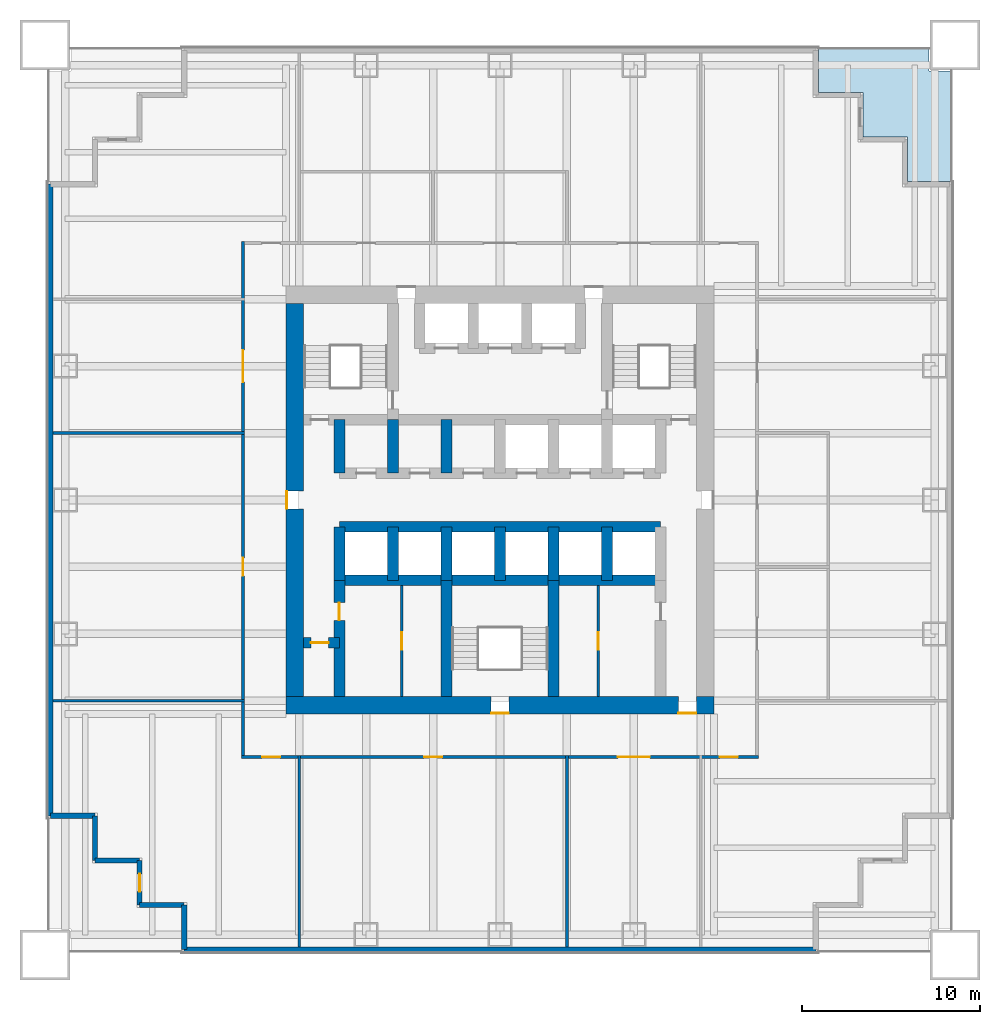
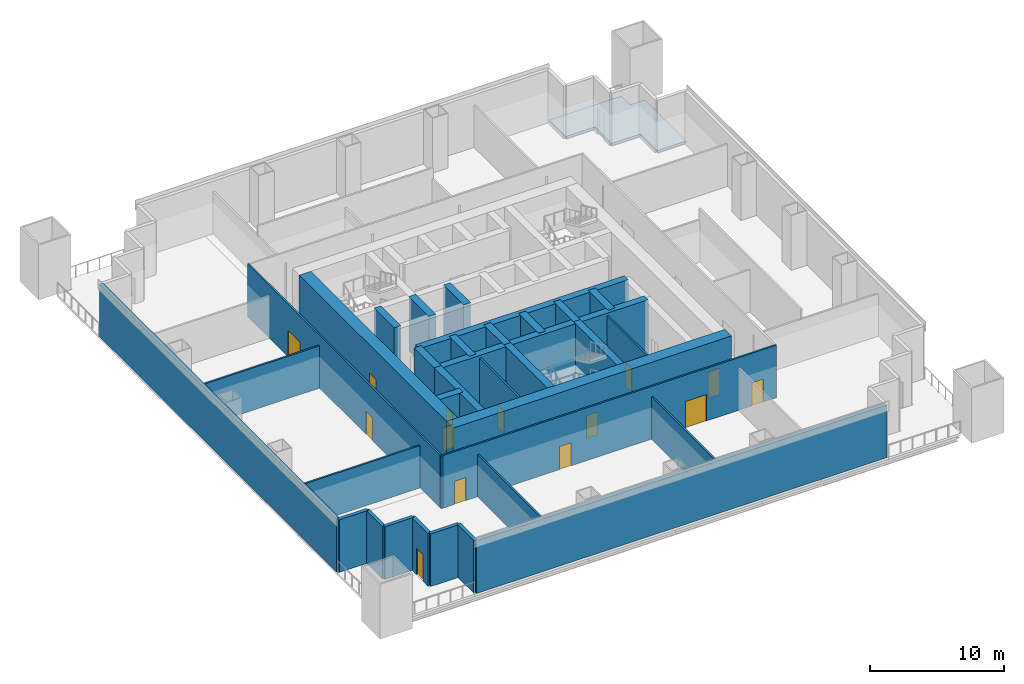
# One storey, part 2 of 6: 33 walls, 14 doors, 1 slab, 14 openings.
"""IFC4 building model written with IfcOpenShell, lengths in metres."""

import ifcopenshell
import ifcopenshell.guid

model = None  # the IFC model being written
_history = None  # IfcOwnerHistory: only IFC2X3 demands one
_inside = {}  # id of a spatial element -> (the spatial element, [elements in it])
_under = {}  # id of a project, library or spatial element -> (it, [spatial elements below it])
_declared = {}  # id of a project -> (the project, [libraries it declares])
_typed = {}  # id of a type object -> (the type object, [elements of that type])
_made_of = {}  # id of a material, layer set ... -> (it, [elements and type objects made of it])


def new_model(schema):
    """Start an empty IFC model of exactly this schema.

    Asked for "IFC4X3", IfcOpenShell would pick the latest addendum, in which some entities
    have other attributes; the version numbers below select the first issue.
    IFC2X3 requires an IfcOwnerHistory on every rooted entity: one is made here for all.
    """
    global model, _history
    if schema == "IFC4X3":
        model = ifcopenshell.file(schema_version=(4, 3, 0, 0))
    else:
        model = ifcopenshell.file(schema=schema)
    _inside.clear()
    _under.clear()
    _declared.clear()
    _typed.clear()
    _made_of.clear()
    _history = None
    if model.schema == "IFC2X3":
        org = make("IfcOrganization", Name="unknown")
        user = make(
            "IfcPersonAndOrganization",
            ThePerson=make("IfcPerson", FamilyName="unknown"),
            TheOrganization=org,
        )
        app = make(
            "IfcApplication",
            ApplicationDeveloper=org,
            Version="unknown",
            ApplicationFullName="unknown",
            ApplicationIdentifier="unknown",
        )
        _history = make(
            "IfcOwnerHistory",
            OwningUser=user,
            OwningApplication=app,
            ChangeAction="ADDED",
            CreationDate=0,
        )
    return model


def make(cls, **values):
    """One entity of the class cls with the attributes given. An attribute that is None is left unset."""
    return model.create_entity(
        cls, **{name: value for name, value in values.items() if value is not None}
    )


def rooted(cls, **values):
    """An entity with a GlobalId (a new one), such as an element, a storey or a relation."""
    return make(cls, GlobalId=ifcopenshell.guid.new(), OwnerHistory=_history, **values)


def si_unit(unit_type, name, prefix=None):
    """IfcSIUnit, for example si_unit("LENGTHUNIT", "METRE", prefix="MILLI")."""
    return make("IfcSIUnit", UnitType=unit_type, Prefix=prefix, Name=name)


def assignment(units):
    """IfcUnitAssignment: the units of a project."""
    return None if units is None else make("IfcUnitAssignment", Units=units)


def point(xyz):
    """IfcCartesianPoint."""
    return None if xyz is None else make("IfcCartesianPoint", Coordinates=xyz)


def direction(xyz):
    """IfcDirection."""
    return None if xyz is None else make("IfcDirection", DirectionRatios=xyz)


def frame(location, z_axis=None, x_axis=None):
    """IfcAxis2Placement3D, a coordinate frame: its origin and axes. An axis left out is left unset."""
    return make(
        "IfcAxis2Placement3D",
        Location=point(location),
        Axis=direction(z_axis),
        RefDirection=direction(x_axis),
    )


def frame_2d(location, x_axis=None):
    """IfcAxis2Placement2D, a coordinate frame in the plane: its origin and x axis."""
    return make(
        "IfcAxis2Placement2D", Location=point(location), RefDirection=direction(x_axis)
    )


def origin():
    """The frame at (0, 0, 0) with its axes left unset."""
    return frame((0.0, 0.0, 0.0))


def place(relative_to, where):
    """IfcLocalPlacement: puts the frame where relative to a parent placement (None: the world)."""
    return make(
        "IfcLocalPlacement", PlacementRelTo=relative_to, RelativePlacement=where
    )


def context(
    kind, dimensions, precision=None, world=None, true_north=None, identifier=None
):
    """IfcGeometricRepresentationContext, for example the 3D "Model" context."""
    return make(
        "IfcGeometricRepresentationContext",
        ContextIdentifier=identifier,
        ContextType=kind,
        CoordinateSpaceDimension=dimensions,
        Precision=precision,
        WorldCoordinateSystem=world,
        TrueNorth=true_north,
    )


def subcontext(parent, identifier, kind, view, scale=None):
    """IfcGeometricRepresentationSubContext, for example "Body" below "Model"."""
    return make(
        "IfcGeometricRepresentationSubContext",
        ContextIdentifier=identifier,
        ContextType=kind,
        ParentContext=parent,
        TargetScale=scale,
        TargetView=view,
    )


def project(units=None, contexts=None):
    """IfcProject with its units and contexts."""
    return rooted(
        "IfcProject",
        Name="project",
        RepresentationContexts=contexts,
        UnitsInContext=assignment(units),
    )


def spatial(cls, under=None, at=None, **own):
    """A site, building, storey or space (cls), placed at a placement, below another one or the project."""
    s = rooted(cls, ObjectPlacement=at, **own)
    if under is not None:
        _under.setdefault(under.id(), (under, []))[1].append(s)
    return s


def polyline(points):
    """IfcPolyline through the points."""
    return make("IfcPolyline", Points=[point(p) for p in points])


def profile(cls, at=None, kind="AREA", **sizes):
    """A parametric profile (cls). Its sizes go by their IFC names, for example OverallWidth=200.0."""
    return make(cls, ProfileType=kind, Position=at, **sizes)


def rectangle(**sizes):
    """IfcRectangleProfileDef."""
    return profile("IfcRectangleProfileDef", **sizes)


def outline(outer, holes=None, kind="AREA"):
    """IfcArbitraryClosedProfileDef: a profile drawn as a closed curve; with holes, ...WithVoids."""
    if holes is None:
        return make("IfcArbitraryClosedProfileDef", ProfileType=kind, OuterCurve=outer)
    return make(
        "IfcArbitraryProfileDefWithVoids",
        ProfileType=kind,
        OuterCurve=outer,
        InnerCurves=holes,
    )


def extrude(swept, where, along, depth):
    """IfcExtrudedAreaSolid: the profile swept, set in the frame where, extruded along a direction by depth."""
    return make(
        "IfcExtrudedAreaSolid",
        SweptArea=swept,
        Position=where,
        ExtrudedDirection=direction(along),
        Depth=depth,
    )


def shape(context_of_items, identifier, shape_type, items):
    """IfcShapeRepresentation: the items that make up one representation, for example the "Body"."""
    return make(
        "IfcShapeRepresentation",
        ContextOfItems=context_of_items,
        RepresentationIdentifier=identifier,
        RepresentationType=shape_type,
        Items=items,
    )


def material(Name=None, Category=None):
    """IfcMaterial."""
    return make("IfcMaterial", Name=Name, Category=Category)


def layer(
    of_material, thickness, ventilated=None, Name=None, Category=None, Priority=None
):
    """IfcMaterialLayer: one layer of a wall or slab, of a material (None: an air gap)."""
    return make(
        "IfcMaterialLayer",
        Material=of_material,
        LayerThickness=thickness,
        IsVentilated=ventilated,
        Name=Name,
        Category=Category,
        Priority=Priority,
    )


def layer_set(layers, Name=None):
    """IfcMaterialLayerSet."""
    return make("IfcMaterialLayerSet", MaterialLayers=layers, LayerSetName=Name)


def made_of(thing, what):
    """Note that an element or type object is made of a material, layer set ...; save() writes the relation."""
    if what is not None:
        _made_of.setdefault(what.id(), (what, []))[1].append(thing)
    return thing


def type_object(cls, material=None, **own):
    """A type object (cls), such as IfcWallType, which elements share."""
    return made_of(rooted(cls, **own), material)


def element(
    cls,
    number,
    at=None,
    inside=None,
    cuts=None,
    type_object=None,
    material=None,
    context=None,
    identifier="Body",
    shape_type=None,
    held_by="IfcProductDefinitionShape",
    body=None,
    shapes=None,
    **own,
):
    """One element of the class cls, such as IfcWall. Its Tag is "e" and its number.

    at: its placement. inside: the storey or other place that contains it. cuts: it is an
    opening in that element (IfcRelVoidsElement). A single representation is given by context,
    identifier, shape_type and body (its items); several are given by shapes. held_by: the class
    of the entity that holds the representations. save() writes the other relations.
    """
    e = rooted(cls, Tag="e%d" % number, ObjectPlacement=at, **own)
    if body is not None:
        shapes = [shape(context, identifier, shape_type, body)]
    if shapes is not None:
        e.Representation = make(held_by, Representations=shapes)
    if inside is not None:
        _inside.setdefault(inside.id(), (inside, []))[1].append(e)
    if cuts is not None:
        rooted(
            "IfcRelVoidsElement", RelatingBuildingElement=cuts, RelatedOpeningElement=e
        )
    if type_object is not None:
        _typed.setdefault(type_object.id(), (type_object, []))[1].append(e)
    return made_of(e, material)


def fill(opening, filler):
    """IfcRelFillsElement: the door or window that sits in an opening."""
    return rooted(
        "IfcRelFillsElement",
        RelatingOpeningElement=opening,
        RelatedBuildingElement=filler,
    )


def aggregate(whole, parts):
    """IfcRelAggregates: a whole, such as a stair, and the parts it consists of."""
    return rooted("IfcRelAggregates", RelatingObject=whole, RelatedObjects=parts)


def save(model, path):
    """Write the relations noted so far, then the file.

    IfcRelAggregates (storeys below a building ...), IfcRelContainedInSpatialStructure (elements
    in a storey), IfcRelDefinesByType, IfcRelAssociatesMaterial and IfcRelDeclares: one each for
    every whole, place, type object, material and project.
    """
    for whole, parts in _under.values():
        aggregate(whole, parts)
    for where, things in _inside.values():
        rooted(
            "IfcRelContainedInSpatialStructure",
            RelatedElements=things,
            RelatingStructure=where,
        )
    for kind, things in _typed.values():
        rooted("IfcRelDefinesByType", RelatedObjects=things, RelatingType=kind)
    for what, things in _made_of.values():
        rooted("IfcRelAssociatesMaterial", RelatedObjects=things, RelatingMaterial=what)
    for by, libraries in _declared.values():
        rooted("IfcRelDeclares", RelatingContext=by, RelatedDefinitions=libraries)
    model.write(path)


model = new_model("IFC4")

# Units and contexts
model_context = context("Model", 3, precision=1e-05, world=origin(), true_north=direction((0.0, 1.0)))
body_context = subcontext(model_context, "Body", "Model", "MODEL_VIEW")
ifc_project = project(units=[si_unit("LENGTHUNIT", "METRE"), si_unit("AREAUNIT", "SQUARE_METRE"), si_unit("VOLUMEUNIT", "CUBIC_METRE"), si_unit("PLANEANGLEUNIT", "RADIAN"), si_unit("MASSUNIT", "GRAM", prefix="KILO")], contexts=[model_context])

# Site, building, storey
site_placement = place(None, origin())
site = spatial("IfcSite", under=ifc_project, at=site_placement, CompositionType="ELEMENT")
building_placement = place(site_placement, origin())
building = spatial("IfcBuilding", under=site, at=building_placement, Name="Tarangal Relay Tower", CompositionType="ELEMENT")
storey_placement = place(building_placement, frame((0.0, 0.0, 48.39990234375)))
storey = spatial("IfcBuildingStorey", under=building, at=storey_placement, Name="L09", CompositionType="ELEMENT", Elevation=48.39990234375)

# Slab
ifc_material_1 = material(Name="Concrete fc' 35 MPa", Category="concrete")
ifc_layer_1 = layer(ifc_material_1, 0.199951171875)
ifc_layer_set_1 = layer_set([ifc_layer_1], Name="Terrace slab 200")
slab_type = type_object("IfcSlabType", Name="Terrace slab 200", PredefinedType="FLOOR", material=ifc_layer_set_1)
slab_placement = place(storey_placement, frame((0.0, 0.0, -0.199951171875)))
element("IfcSlab", 1, at=slab_placement, inside=storey, type_object=slab_type, Name="Corner terrace NE L09", PredefinedType="FLOOR", context=body_context, shape_type="SweptSolid", body=[
    extrude(outline(polyline([(17.85009765625, 25.35009765625), (17.85009765625, 22.85009765625), (20.35009765625, 22.85009765625), (20.35009765625, 20.35009765625), (22.85009765625, 20.35009765625), (22.85009765625, 17.85009765625), (25.35009765625, 17.85009765625), (25.35009765625, 24.050048828125), (24.050048828125, 24.050048828125), (24.050048828125, 25.35009765625), (17.85009765625, 25.35009765625)])), origin(), (0.0, 0.0, 1.0), 0.199951171875),
])

# Walls
ifc_material_2 = material(Name="Concrete fc' 60 MPa", Category="concrete")
ifc_layer_2 = layer(ifc_material_2, 0.60009765625)
ifc_layer_set_2 = layer_set([ifc_layer_2], Name="Core inner wall 600")
wall_type_1 = type_object("IfcWallType", Name="Core inner wall 600", PredefinedType="SHEAR", material=ifc_layer_set_2)
for number, where, z_axis, x_axis, name in (
    (2, (-9.0, -1.5, 0.0), (0.0, 0.0, 1.0), (1.0, 0.0, 0.0), "Core wall YM15 L09"),
    (3, (-9.0, -4.5, 0.0), (0.0, 0.0, 1.0), (1.0, 0.0, 0.0), "Core wall YM45 L09"),
):
    element("IfcWall", number, at=place(storey_placement, frame(where, z_axis=z_axis, x_axis=x_axis)), inside=storey, type_object=wall_type_1, Name=name, PredefinedType="SHEAR", context=body_context, shape_type="SweptSolid", body=[
        extrude(rectangle(XDim=18.0, YDim=0.60009765625, at=frame_2d((9.0, 0.0))), origin(), (0.0, 0.0, 1.0), 5.0),
    ])

# Wall, opening, door
wall_1_placement = place(storey_placement, frame((-11.0, -8.0, 0.0), z_axis=(0.0, 0.0, 1.0), x_axis=(1.0, 0.0, 0.0)))
wall_1 = element("IfcWall", 4, at=wall_1_placement, inside=storey, type_object=wall_type_1, Name="Core wall YM8 L09", PredefinedType="SHEAR", context=body_context, shape_type="SweptSolid", body=[
    extrude(rectangle(XDim=2.0, YDim=0.60009765625, at=frame_2d((1.0, 0.0))), origin(), (0.0, 0.0, 1.0), 5.0),
])
opening_1_placement = place(wall_1_placement, frame((0.39990234375, 0.0, 0.0)))
opening_1 = element("IfcOpeningElement", 5, at=opening_1_placement, cuts=wall_1, Name="Opening D1", PredefinedType="OPENING", context=body_context, shape_type="SweptSolid", body=[
    extrude(rectangle(XDim=1.0, YDim=2.10009765625, at=frame_2d((0.5, 1.050048828125))), frame((0.0, 0.31005859375, 0.0), z_axis=(0.0, -1.0, 0.0), x_axis=(1.0, 0.0, 0.0)), (0.0, 0.0, 1.0), 0.6201171875),
])
ifc_material_3 = material(Name="Hardwood door", Category="wood")
door_type_1 = type_object("IfcDoorType", Name="WC door 1000 x 2100", OperationType="SINGLE_SWING_LEFT", PredefinedType="DOOR", material=ifc_material_3)
door_1_placement = place(opening_1_placement, origin())
door_1 = element("IfcDoor", 6, at=door_1_placement, inside=storey, type_object=door_type_1, Name="Accessible WC door L09", OperationType="SINGLE_SWING_LEFT", OverallHeight=2.10009765625, OverallWidth=1.0, PredefinedType="DOOR", context=body_context, shape_type="SweptSolid", body=[
    extrude(rectangle(XDim=1.0, YDim=2.10009765625, at=frame_2d((0.5, 1.050048828125))), frame((0.0, 0.02490234375, 0.0), z_axis=(0.0, -1.0, 0.0), x_axis=(1.0, 0.0, 0.0)), (0.0, 0.0, 1.0), 0.050048828125),
])
fill(opening_1, door_1)

# Walls
for number, where, z_axis, x_axis, name in (
    (7, (-9.0, 1.5, 0.0), (0.0, 0.0, 1.0), (0.0, 1.0, 0.0), "Core wall XM9N L09"),
    (8, (-9.0, -4.5, 0.0), (0.0, 0.0, 1.0), (0.0, 1.0, 0.0), "Core wall XM9S L09"),
    (9, (-6.0, 1.5, 0.0), (0.0, 0.0, 1.0), (0.0, 1.0, 0.0), "Core wall XM6N L09"),
    (10, (-3.0, 1.5, 0.0), (0.0, 0.0, 1.0), (0.0, 1.0, 0.0), "Core wall XM3N L09"),
    (11, (-6.0, -4.5, 0.0), (0.0, 0.0, 1.0), (0.0, 1.0, 0.0), "Core wall XM6S L09"),
    (12, (-3.0, -4.5, 0.0), (0.0, 0.0, 1.0), (0.0, 1.0, 0.0), "Core wall XM3S L09"),
    (13, (0.0, -4.5, 0.0), (0.0, 0.0, 1.0), (0.0, 1.0, 0.0), "Core wall X0S L09"),
    (14, (3.0, -4.5, 0.0), (0.0, 0.0, 1.0), (0.0, 1.0, 0.0), "Core wall X3S L09"),
    (15, (6.0, -4.5, 0.0), (0.0, 0.0, 1.0), (0.0, 1.0, 0.0), "Core wall X6S L09"),
):
    element("IfcWall", number, at=place(storey_placement, frame(where, z_axis=z_axis, x_axis=x_axis)), inside=storey, type_object=wall_type_1, Name=name, PredefinedType="SHEAR", context=body_context, shape_type="SweptSolid", body=[
        extrude(rectangle(XDim=3.0, YDim=0.60009765625, at=frame_2d((1.5, 0.0))), origin(), (0.0, 0.0, 1.0), 5.0),
    ])

# Wall, opening, door
wall_2_placement = place(storey_placement, frame((-9.0, -11.0, 0.0), z_axis=(0.0, 0.0, 1.0), x_axis=(0.0, 1.0, 0.0)))
wall_2 = element("IfcWall", 16, at=wall_2_placement, inside=storey, type_object=wall_type_1, Name="Core wall XM9W L09", PredefinedType="SHEAR", context=body_context, shape_type="SweptSolid", body=[
    extrude(rectangle(XDim=6.5, YDim=0.60009765625, at=frame_2d((3.25, 0.0))), origin(), (0.0, 0.0, 1.0), 5.0),
])
opening_2_placement = place(wall_2_placement, frame((4.25, 0.0, 0.0)))
opening_2 = element("IfcOpeningElement", 17, at=opening_2_placement, cuts=wall_2, Name="Opening D1", PredefinedType="OPENING", context=body_context, shape_type="SweptSolid", body=[
    extrude(rectangle(XDim=1.0, YDim=2.10009765625, at=frame_2d((0.5, 1.050048828125))), frame((0.0, 0.31005859375, 0.0), z_axis=(0.0, -1.0, 0.0), x_axis=(1.0, 0.0, 0.0)), (0.0, 0.0, 1.0), 0.6201171875),
])
door_2_placement = place(opening_2_placement, origin())
door_2 = element("IfcDoor", 18, at=door_2_placement, inside=storey, type_object=door_type_1, Name="Male WC door L09", OperationType="SINGLE_SWING_LEFT", OverallHeight=2.10009765625, OverallWidth=1.0, PredefinedType="DOOR", context=body_context, shape_type="SweptSolid", body=[
    extrude(rectangle(XDim=1.0, YDim=2.10009765625, at=frame_2d((0.5, 1.050048828125))), frame((0.0, 0.02490234375, 0.0), z_axis=(0.0, -1.0, 0.0), x_axis=(1.0, 0.0, 0.0)), (0.0, 0.0, 1.0), 0.050048828125),
])
fill(opening_2, door_2)

# Walls
for number, where, z_axis, x_axis, name in (
    (19, (-3.0, -11.0, 0.0), (0.0, 0.0, 1.0), (0.0, 1.0, 0.0), "Core wall XM3W L09"),
    (20, (3.0, -11.0, 0.0), (0.0, 0.0, 1.0), (0.0, 1.0, 0.0), "Core wall X3W L09"),
):
    element("IfcWall", number, at=place(storey_placement, frame(where, z_axis=z_axis, x_axis=x_axis)), inside=storey, type_object=wall_type_1, Name=name, PredefinedType="SHEAR", context=body_context, shape_type="SweptSolid", body=[
        extrude(rectangle(XDim=6.5, YDim=0.60009765625, at=frame_2d((3.25, 0.0))), origin(), (0.0, 0.0, 1.0), 5.0),
    ])

# Wall, openings, doors
ifc_layer_3 = layer(ifc_material_2, 1.0)
ifc_layer_set_3 = layer_set([ifc_layer_3], Name="Core wall 1000")
wall_type_2 = type_object("IfcWallType", Name="Core wall 1000", PredefinedType="SHEAR", material=ifc_layer_set_3)
wall_3_placement = place(storey_placement, frame((12.0, -11.5, 0.0), z_axis=(0.0, 0.0, 1.0), x_axis=(-1.0, 0.0, 0.0)))
wall_3 = element("IfcWall", 21, at=wall_3_placement, inside=storey, type_object=wall_type_2, Name="Core wall S L09", PredefinedType="SHEAR", context=body_context, shape_type="SweptSolid", body=[
    extrude(rectangle(XDim=24.0, YDim=1.0, at=frame_2d((12.0, 0.0))), origin(), (0.0, 0.0, 1.0), 5.0),
])
opening_3_placement = place(wall_3_placement, frame((11.5, 0.0, 0.0)))
opening_3 = element("IfcOpeningElement", 22, at=opening_3_placement, cuts=wall_3, Name="Opening FD1", PredefinedType="OPENING", context=body_context, shape_type="SweptSolid", body=[
    extrude(rectangle(XDim=1.0, YDim=2.10009765625, at=frame_2d((0.5, 1.050048828125))), frame((0.0, 0.510009765625, 0.0), z_axis=(0.0, -1.0, 0.0), x_axis=(1.0, 0.0, 0.0)), (0.0, 0.0, 1.0), 1.02001953125),
])
opening_4_placement = place(wall_3_placement, frame((1.0, 0.0, 0.0)))
opening_4 = element("IfcOpeningElement", 23, at=opening_4_placement, cuts=wall_3, Name="Opening FD3", PredefinedType="OPENING", context=body_context, shape_type="SweptSolid", body=[
    extrude(rectangle(XDim=1.0, YDim=2.39990234375, at=frame_2d((0.5, 1.199951171875))), frame((0.0, 0.510009765625, 0.0), z_axis=(0.0, -1.0, 0.0), x_axis=(1.0, 0.0, 0.0)), (0.0, 0.0, 1.0), 1.02001953125),
])
ifc_material_4 = material(Name="Steel door with hardwood frame", Category="steel")
door_type_2 = type_object("IfcDoorType", Name="Fire door 1000 x 2100", OperationType="SINGLE_SWING_LEFT", PredefinedType="DOOR", material=ifc_material_4)
door_3_placement = place(opening_3_placement, origin())
door_3 = element("IfcDoor", 24, at=door_3_placement, inside=storey, type_object=door_type_2, Name="Stair ST-C door L09", OperationType="SINGLE_SWING_LEFT", OverallHeight=2.10009765625, OverallWidth=1.0, PredefinedType="DOOR", context=body_context, shape_type="SweptSolid", body=[
    extrude(rectangle(XDim=1.0, YDim=2.10009765625, at=frame_2d((0.5, 1.050048828125))), frame((0.0, 0.48486328125, 0.0), z_axis=(0.0, -1.0, 0.0), x_axis=(1.0, 0.0, 0.0)), (0.0, 0.0, 1.0), 0.050048828125),
])
fill(opening_3, door_3)
door_type_3 = type_object("IfcDoorType", Name="Fire door 1000 x 2400 core entry", OperationType="SINGLE_SWING_RIGHT", PredefinedType="DOOR", material=ifc_material_4)
door_4_placement = place(opening_4_placement, origin())
door_4 = element("IfcDoor", 25, at=door_4_placement, inside=storey, type_object=door_type_3, Name="Core entry door south east L09", OperationType="SINGLE_SWING_RIGHT", OverallHeight=2.39990234375, OverallWidth=1.0, PredefinedType="DOOR", context=body_context, shape_type="SweptSolid", body=[
    extrude(rectangle(XDim=1.0, YDim=2.39990234375, at=frame_2d((0.5, 1.199951171875))), frame((0.0, 0.48486328125, 0.0), z_axis=(0.0, -1.0, 0.0), x_axis=(1.0, 0.0, 0.0)), (0.0, 0.0, 1.0), 0.050048828125),
])
fill(opening_4, door_4)

# Wall, opening, door
wall_4_placement = place(storey_placement, frame((-11.5, -11.0, 0.0), z_axis=(0.0, 0.0, 1.0), x_axis=(0.0, 1.0, 0.0)))
wall_4 = element("IfcWall", 26, at=wall_4_placement, inside=storey, type_object=wall_type_2, Name="Core wall W L09", PredefinedType="SHEAR", context=body_context, shape_type="SweptSolid", body=[
    extrude(rectangle(XDim=22.0, YDim=1.0, at=frame_2d((11.0, 0.0))), origin(), (0.0, 0.0, 1.0), 5.0),
])
opening_5_placement = place(wall_4_placement, frame((10.5, 0.0, 0.0)))
opening_5 = element("IfcOpeningElement", 27, at=opening_5_placement, cuts=wall_4, Name="Opening FD3", PredefinedType="OPENING", context=body_context, shape_type="SweptSolid", body=[
    extrude(rectangle(XDim=1.0, YDim=2.39990234375, at=frame_2d((0.5, 1.199951171875))), frame((0.0, 0.510009765625, 0.0), z_axis=(0.0, -1.0, 0.0), x_axis=(1.0, 0.0, 0.0)), (0.0, 0.0, 1.0), 1.02001953125),
])
door_5_placement = place(opening_5_placement, origin())
door_5 = element("IfcDoor", 28, at=door_5_placement, inside=storey, type_object=door_type_3, Name="Core entry door west L09", OperationType="SINGLE_SWING_RIGHT", OverallHeight=2.39990234375, OverallWidth=1.0, PredefinedType="DOOR", context=body_context, shape_type="SweptSolid", body=[
    extrude(rectangle(XDim=1.0, YDim=2.39990234375, at=frame_2d((0.5, 1.199951171875))), frame((0.0, 0.48486328125, 0.0), z_axis=(0.0, -1.0, 0.0), x_axis=(1.0, 0.0, 0.0)), (0.0, 0.0, 1.0), 0.050048828125),
])
fill(opening_5, door_5)

# Walls
ifc_material_5 = material(Name="Insulated precast concrete fc' 40 MPa", Category="concrete")
ifc_layer_4 = layer(ifc_material_5, 0.300048828125)
ifc_layer_set_4 = layer_set([ifc_layer_4], Name="Insulated precast concrete fc' 40 MPa")
wall_type_3 = type_object("IfcWallType", Name="Facade wall precast 300", PredefinedType="SOLIDWALL", material=ifc_layer_set_4)
wall_5_placement = place(storey_placement, frame((17.699951171875, -25.199951171875, 0.0), z_axis=(0.0, 0.0, 1.0), x_axis=(-1.0, 0.0, 0.0)))
element("IfcWall", 29, at=wall_5_placement, inside=storey, type_object=wall_type_3, Name="Facade wall S facade L09", PredefinedType="SOLIDWALL", context=body_context, shape_type="SweptSolid", body=[
    extrude(rectangle(XDim=35.39990234375, YDim=0.300048828125, at=frame_2d((17.699951171875, 0.0))), origin(), (0.0, 0.0, 1.0), 4.800048828125),
])
for number, where, z_axis, x_axis, name in (
    (30, (-17.699951171875, -25.199951171875, 0.0), (0.0, 0.0, 1.0), (0.0, 1.0, 0.0), "Facade wall S facade L09"),
    (31, (-17.699951171875, -22.699951171875, 0.0), (0.0, 0.0, 1.0), (-1.0, 0.0, 0.0), "Facade wall S facade L09"),
):
    element("IfcWall", number, at=place(storey_placement, frame(where, z_axis=z_axis, x_axis=x_axis)), inside=storey, type_object=wall_type_3, Name=name, PredefinedType="SOLIDWALL", context=body_context, shape_type="SweptSolid", body=[
        extrude(rectangle(XDim=2.5, YDim=0.300048828125, at=frame_2d((1.25, 0.0))), origin(), (0.0, 0.0, 1.0), 4.800048828125),
    ])

# Wall, opening, door
wall_6_placement = place(storey_placement, frame((-20.199951171875, -22.699951171875, 0.0), z_axis=(0.0, 0.0, 1.0), x_axis=(0.0, 1.0, 0.0)))
wall_6 = element("IfcWall", 32, at=wall_6_placement, inside=storey, type_object=wall_type_3, Name="Facade wall S facade L09", PredefinedType="SOLIDWALL", context=body_context, shape_type="SweptSolid", body=[
    extrude(rectangle(XDim=2.5, YDim=0.300048828125, at=frame_2d((1.25, 0.0))), origin(), (0.0, 0.0, 1.0), 4.800048828125),
])
opening_6_placement = place(wall_6_placement, frame((0.75, 0.0, 0.0)))
opening_6 = element("IfcOpeningElement", 33, at=opening_6_placement, cuts=wall_6, Name="Opening TD1", PredefinedType="OPENING", context=body_context, shape_type="SweptSolid", body=[
    extrude(rectangle(XDim=1.0, YDim=2.39990234375, at=frame_2d((0.5, 1.199951171875))), frame((0.0, 0.159912109375, 0.0), z_axis=(0.0, -1.0, 0.0), x_axis=(1.0, 0.0, 0.0)), (0.0, 0.0, 1.0), 0.320068359375),
])
ifc_material_6 = material(Name="Aluminium glazed door", Category="aluminium")
door_type_4 = type_object("IfcDoorType", Name="Terrace door 1000 x 2400", OperationType="SINGLE_SWING_RIGHT", PredefinedType="DOOR", material=ifc_material_6)
door_6_placement = place(opening_6_placement, origin())
door_6 = element("IfcDoor", 34, at=door_6_placement, inside=storey, type_object=door_type_4, Name="Terrace door TD1 SW L09", OperationType="SINGLE_SWING_RIGHT", OverallHeight=2.39990234375, OverallWidth=1.0, PredefinedType="DOOR", context=body_context, shape_type="SweptSolid", body=[
    extrude(rectangle(XDim=1.0, YDim=2.39990234375, at=frame_2d((0.5, 1.199951171875))), frame((0.0, 0.02490234375, 0.0), z_axis=(0.0, -1.0, 0.0), x_axis=(1.0, 0.0, 0.0)), (0.0, 0.0, 1.0), 0.050048828125),
])
fill(opening_6, door_6)

# Walls
for number, where, z_axis, x_axis, name in (
    (35, (-20.199951171875, -20.199951171875, 0.0), (0.0, 0.0, 1.0), (-1.0, 0.0, 0.0), "Facade wall S facade L09"),
    (36, (-22.699951171875, -20.199951171875, 0.0), (0.0, 0.0, 1.0), (0.0, 1.0, 0.0), "Facade wall S facade L09"),
    (37, (-22.699951171875, -17.699951171875, 0.0), (0.0, 0.0, 1.0), (-1.0, 0.0, 0.0), "Facade wall S facade L09"),
):
    element("IfcWall", number, at=place(storey_placement, frame(where, z_axis=z_axis, x_axis=x_axis)), inside=storey, type_object=wall_type_3, Name=name, PredefinedType="SOLIDWALL", context=body_context, shape_type="SweptSolid", body=[
        extrude(rectangle(XDim=2.5, YDim=0.300048828125, at=frame_2d((1.25, 0.0))), origin(), (0.0, 0.0, 1.0), 4.800048828125),
    ])
wall_7_placement = place(storey_placement, frame((-25.199951171875, -17.699951171875, 0.0), z_axis=(0.0, 0.0, 1.0), x_axis=(0.0, 1.0, 0.0)))
element("IfcWall", 38, at=wall_7_placement, inside=storey, type_object=wall_type_3, Name="Facade wall W facade L09", PredefinedType="SOLIDWALL", context=body_context, shape_type="SweptSolid", body=[
    extrude(rectangle(XDim=35.39990234375, YDim=0.300048828125, at=frame_2d((17.699951171875, 0.0))), origin(), (0.0, 0.0, 1.0), 4.800048828125),
])

# Wall, openings, doors
ifc_material_7 = material(Name="Gypsum board on steel studs", Category="steel")
ifc_layer_5 = layer(ifc_material_7, 0.14990234375)
ifc_layer_set_5 = layer_set([ifc_layer_5], Name="Partition 150")
wall_type_4 = type_object("IfcWallType", Name="Partition 150", PredefinedType="PARTITIONING", material=ifc_layer_set_5)
wall_8_placement = place(storey_placement, frame((-14.47509765625, -14.39990234375, 0.0), z_axis=(0.0, 0.0, 1.0), x_axis=(1.0, 0.0, 0.0)))
wall_8 = element("IfcWall", 39, at=wall_8_placement, inside=storey, type_object=wall_type_4, Name="Partition PT1 L09", PredefinedType="PARTITIONING", context=body_context, shape_type="SweptSolid", body=[
    extrude(rectangle(XDim=28.9501953125, YDim=0.14990234375, at=frame_2d((14.47509765625, 0.0))), origin(), (0.0, 0.0, 1.0), 4.800048828125),
])
opening_7_placement = place(wall_8_placement, frame((21.074951171875, 0.0, 0.0)))
opening_7 = element("IfcOpeningElement", 40, at=opening_7_placement, cuts=wall_8, Name="Opening DD1", PredefinedType="OPENING", context=body_context, shape_type="SweptSolid", body=[
    extrude(rectangle(XDim=1.800048828125, YDim=2.39990234375, at=frame_2d((0.89990234375, 1.199951171875))), frame((0.0, 0.0849609375, 0.0), z_axis=(0.0, -1.0, 0.0), x_axis=(1.0, 0.0, 0.0)), (0.0, 0.0, 1.0), 0.169921875),
])
opening_8_placement = place(wall_8_placement, frame((10.22509765625, 0.0, 0.0)))
opening_8 = element("IfcOpeningElement", 41, at=opening_8_placement, cuts=wall_8, Name="Opening D2", PredefinedType="OPENING", context=body_context, shape_type="SweptSolid", body=[
    extrude(rectangle(XDim=1.0, YDim=2.10009765625, at=frame_2d((0.5, 1.050048828125))), frame((0.0, 0.0849609375, 0.0), z_axis=(0.0, -1.0, 0.0), x_axis=(1.0, 0.0, 0.0)), (0.0, 0.0, 1.0), 0.169921875),
])
opening_9_placement = place(wall_8_placement, frame((26.800048828125, 0.0, 0.0)))
opening_9 = element("IfcOpeningElement", 42, at=opening_9_placement, cuts=wall_8, Name="Opening D2", PredefinedType="OPENING", context=body_context, shape_type="SweptSolid", body=[
    extrude(rectangle(XDim=1.0, YDim=2.10009765625, at=frame_2d((0.5, 1.050048828125))), frame((0.0, 0.0849609375, 0.0), z_axis=(0.0, -1.0, 0.0), x_axis=(1.0, 0.0, 0.0)), (0.0, 0.0, 1.0), 0.169921875),
])
opening_10_placement = place(wall_8_placement, frame((1.14990234375, 0.0, 0.0)))
opening_10 = element("IfcOpeningElement", 43, at=opening_10_placement, cuts=wall_8, Name="Opening D2", PredefinedType="OPENING", context=body_context, shape_type="SweptSolid", body=[
    extrude(rectangle(XDim=1.0, YDim=2.10009765625, at=frame_2d((0.5, 1.050048828125))), frame((0.0, 0.0849609375, 0.0), z_axis=(0.0, -1.0, 0.0), x_axis=(1.0, 0.0, 0.0)), (0.0, 0.0, 1.0), 0.169921875),
])
door_type_5 = type_object("IfcDoorType", Name="Door 1000 x 2100", OperationType="SINGLE_SWING_LEFT", PredefinedType="DOOR", material=ifc_material_3)
door_7_placement = place(opening_8_placement, origin())
door_7 = element("IfcDoor", 44, at=door_7_placement, inside=storey, type_object=door_type_5, Name="Door D2 to rack build and test room L09-09", OperationType="SINGLE_SWING_LEFT", OverallHeight=2.10009765625, OverallWidth=1.0, PredefinedType="DOOR", context=body_context, shape_type="SweptSolid", body=[
    extrude(rectangle(XDim=1.0, YDim=2.10009765625, at=frame_2d((0.5, 1.050048828125))), frame((0.0, 0.02490234375, 0.0), z_axis=(0.0, -1.0, 0.0), x_axis=(1.0, 0.0, 0.0)), (0.0, 0.0, 1.0), 0.050048828125),
])
fill(opening_8, door_7)
door_8_placement = place(opening_9_placement, origin())
door_8 = element("IfcDoor", 45, at=door_8_placement, inside=storey, type_object=door_type_5, Name="Door D2 to maintenance workshop L09-13", OperationType="SINGLE_SWING_LEFT", OverallHeight=2.10009765625, OverallWidth=1.0, PredefinedType="DOOR", context=body_context, shape_type="SweptSolid", body=[
    extrude(rectangle(XDim=1.0, YDim=2.10009765625, at=frame_2d((0.5, 1.050048828125))), frame((0.0, 0.02490234375, 0.0), z_axis=(0.0, -1.0, 0.0), x_axis=(1.0, 0.0, 0.0)), (0.0, 0.0, 1.0), 0.050048828125),
])
fill(opening_9, door_8)
door_9_placement = place(opening_10_placement, origin())
door_9 = element("IfcDoor", 46, at=door_9_placement, inside=storey, type_object=door_type_5, Name="Door D2 to security office L09-14", OperationType="SINGLE_SWING_LEFT", OverallHeight=2.10009765625, OverallWidth=1.0, PredefinedType="DOOR", context=body_context, shape_type="SweptSolid", body=[
    extrude(rectangle(XDim=1.0, YDim=2.10009765625, at=frame_2d((0.5, 1.050048828125))), frame((0.0, 0.02490234375, 0.0), z_axis=(0.0, -1.0, 0.0), x_axis=(1.0, 0.0, 0.0)), (0.0, 0.0, 1.0), 0.050048828125),
])
fill(opening_10, door_9)
door_type_6 = type_object("IfcDoorType", Name="Equipment double door 1800 x 2400", OperationType="DOUBLE_DOOR_SINGLE_SWING", PredefinedType="DOOR", material=ifc_material_4)
door_10_placement = place(opening_7_placement, origin())
door_10 = element("IfcDoor", 47, at=door_10_placement, inside=storey, type_object=door_type_6, Name="Door DD1 to electrical room L09-08", OperationType="DOUBLE_DOOR_SINGLE_SWING", OverallHeight=2.39990234375, OverallWidth=1.800048828125, PredefinedType="DOOR", context=body_context, shape_type="SweptSolid", body=[
    extrude(rectangle(XDim=1.800048828125, YDim=2.39990234375, at=frame_2d((0.89990234375, 1.199951171875))), frame((0.0, 0.02490234375, 0.0), z_axis=(0.0, -1.0, 0.0), x_axis=(1.0, 0.0, 0.0)), (0.0, 0.0, 1.0), 0.050048828125),
])
fill(opening_7, door_10)

# Walls
for number, where, z_axis, x_axis, name in (
    (48, (-25.050048828125, -11.25, 0.0), (0.0, 0.0, 1.0), (1.0, 0.0, 0.0), "Partition PT1 L09"),
    (49, (-25.050048828125, 3.75, 0.0), (0.0, 0.0, 1.0), (1.0, 0.0, 0.0), "Partition PT1 L09"),
):
    element("IfcWall", number, at=place(storey_placement, frame(where, z_axis=z_axis, x_axis=x_axis)), inside=storey, type_object=wall_type_4, Name=name, PredefinedType="PARTITIONING", context=body_context, shape_type="SweptSolid", body=[
        extrude(rectangle(XDim=10.72509765625, YDim=0.14990234375, at=frame_2d((5.362548828125, 0.0))), origin(), (0.0, 0.0, 1.0), 3.852783203125),
    ])

# Wall, openings, doors
wall_9_placement = place(storey_placement, frame((-14.39990234375, -14.47509765625, 0.0), z_axis=(0.0, 0.0, 1.0), x_axis=(0.0, 1.0, 0.0)))
wall_9 = element("IfcWall", 50, at=wall_9_placement, inside=storey, type_object=wall_type_4, Name="Partition PT1 L09", PredefinedType="PARTITIONING", context=body_context, shape_type="SweptSolid", body=[
    extrude(rectangle(XDim=28.9501953125, YDim=0.14990234375, at=frame_2d((14.47509765625, 0.0))), origin(), (0.0, 0.0, 1.0), 4.800048828125),
])
opening_11_placement = place(wall_9_placement, frame((10.22509765625, 0.0, 0.0)))
opening_11 = element("IfcOpeningElement", 51, at=opening_11_placement, cuts=wall_9, Name="Opening D2", PredefinedType="OPENING", context=body_context, shape_type="SweptSolid", body=[
    extrude(rectangle(XDim=1.0, YDim=2.10009765625, at=frame_2d((0.5, 1.050048828125))), frame((0.0, 0.0849609375, 0.0), z_axis=(0.0, -1.0, 0.0), x_axis=(1.0, 0.0, 0.0)), (0.0, 0.0, 1.0), 0.169921875),
])
opening_12_placement = place(wall_9_placement, frame((21.074951171875, 0.0, 0.0)))
opening_12 = element("IfcOpeningElement", 52, at=opening_12_placement, cuts=wall_9, Name="Opening DD1", PredefinedType="OPENING", context=body_context, shape_type="SweptSolid", body=[
    extrude(rectangle(XDim=1.800048828125, YDim=2.39990234375, at=frame_2d((0.89990234375, 1.199951171875))), frame((0.0, 0.0849609375, 0.0), z_axis=(0.0, -1.0, 0.0), x_axis=(1.0, 0.0, 0.0)), (0.0, 0.0, 1.0), 0.169921875),
])
door_11_placement = place(opening_11_placement, origin())
door_11 = element("IfcDoor", 53, at=door_11_placement, inside=storey, type_object=door_type_5, Name="Door D2 to tape library room L09-10", OperationType="SINGLE_SWING_LEFT", OverallHeight=2.10009765625, OverallWidth=1.0, PredefinedType="DOOR", context=body_context, shape_type="SweptSolid", body=[
    extrude(rectangle(XDim=1.0, YDim=2.10009765625, at=frame_2d((0.5, 1.050048828125))), frame((0.0, 0.02490234375, 0.0), z_axis=(0.0, -1.0, 0.0), x_axis=(1.0, 0.0, 0.0)), (0.0, 0.0, 1.0), 0.050048828125),
])
fill(opening_11, door_11)
door_12_placement = place(opening_12_placement, origin())
door_12 = element("IfcDoor", 54, at=door_12_placement, inside=storey, type_object=door_type_6, Name="Door DD1 to gas suppression cylinder room L09-11", OperationType="DOUBLE_DOOR_SINGLE_SWING", OverallHeight=2.39990234375, OverallWidth=1.800048828125, PredefinedType="DOOR", context=body_context, shape_type="SweptSolid", body=[
    extrude(rectangle(XDim=1.800048828125, YDim=2.39990234375, at=frame_2d((0.89990234375, 1.199951171875))), frame((0.0, 0.02490234375, 0.0), z_axis=(0.0, -1.0, 0.0), x_axis=(1.0, 0.0, 0.0)), (0.0, 0.0, 1.0), 0.050048828125),
])
fill(opening_12, door_12)

# Walls
for number, where, z_axis, x_axis, name in (
    (55, (-11.25, -25.050048828125, 0.0), (0.0, 0.0, 1.0), (0.0, 1.0, 0.0), "Partition PT1 L09"),
    (56, (3.75, -25.050048828125, 0.0), (0.0, 0.0, 1.0), (0.0, 1.0, 0.0), "Partition PT1 L09"),
):
    element("IfcWall", number, at=place(storey_placement, frame(where, z_axis=z_axis, x_axis=x_axis)), inside=storey, type_object=wall_type_4, Name=name, PredefinedType="PARTITIONING", context=body_context, shape_type="SweptSolid", body=[
        extrude(rectangle(XDim=10.72509765625, YDim=0.14990234375, at=frame_2d((5.362548828125, 0.0))), origin(), (0.0, 0.0, 1.0), 3.852783203125),
    ])

# Wall, opening, door
wall_10_placement = place(storey_placement, frame((-5.5, -11.0, 0.0), z_axis=(0.0, 0.0, 1.0), x_axis=(0.0, 1.0, 0.0)))
wall_10 = element("IfcWall", 57, at=wall_10_placement, inside=storey, type_object=wall_type_4, Name="Partition PT1 L09", PredefinedType="PARTITIONING", context=body_context, shape_type="SweptSolid", body=[
    extrude(rectangle(XDim=6.199951171875, YDim=0.14990234375, at=frame_2d((3.10009765625, 0.0))), origin(), (0.0, 0.0, 1.0), 4.75),
])
opening_13_placement = place(wall_10_placement, frame((2.60009765625, 0.0, 0.0)))
opening_13 = element("IfcOpeningElement", 58, at=opening_13_placement, cuts=wall_10, Name="Opening D1", PredefinedType="OPENING", context=body_context, shape_type="SweptSolid", body=[
    extrude(rectangle(XDim=1.0, YDim=2.10009765625, at=frame_2d((0.5, 1.050048828125))), frame((0.0, 0.0849609375, 0.0), z_axis=(0.0, -1.0, 0.0), x_axis=(1.0, 0.0, 0.0)), (0.0, 0.0, 1.0), 0.169921875),
])
door_13_placement = place(opening_13_placement, origin())
door_13 = element("IfcDoor", 59, at=door_13_placement, inside=storey, type_object=door_type_1, Name="Door D1 to male shower and changing room L09-C7B", OperationType="SINGLE_SWING_LEFT", OverallHeight=2.10009765625, OverallWidth=1.0, PredefinedType="DOOR", context=body_context, shape_type="SweptSolid", body=[
    extrude(rectangle(XDim=1.0, YDim=2.10009765625, at=frame_2d((0.5, 1.050048828125))), frame((0.0, 0.02490234375, 0.0), z_axis=(0.0, -1.0, 0.0), x_axis=(1.0, 0.0, 0.0)), (0.0, 0.0, 1.0), 0.050048828125),
])
fill(opening_13, door_13)

wall_11_placement = place(storey_placement, frame((5.5, -11.0, 0.0), z_axis=(0.0, 0.0, 1.0), x_axis=(0.0, 1.0, 0.0)))
wall_11 = element("IfcWall", 60, at=wall_11_placement, inside=storey, type_object=wall_type_4, Name="Partition PT1 L09", PredefinedType="PARTITIONING", context=body_context, shape_type="SweptSolid", body=[
    extrude(rectangle(XDim=6.199951171875, YDim=0.14990234375, at=frame_2d((3.10009765625, 0.0))), origin(), (0.0, 0.0, 1.0), 4.75),
])
opening_14_placement = place(wall_11_placement, frame((2.60009765625, 0.0, 0.0)))
opening_14 = element("IfcOpeningElement", 61, at=opening_14_placement, cuts=wall_11, Name="Opening D1", PredefinedType="OPENING", context=body_context, shape_type="SweptSolid", body=[
    extrude(rectangle(XDim=1.0, YDim=2.10009765625, at=frame_2d((0.5, 1.050048828125))), frame((0.0, 0.0849609375, 0.0), z_axis=(0.0, -1.0, 0.0), x_axis=(1.0, 0.0, 0.0)), (0.0, 0.0, 1.0), 0.169921875),
])
door_14_placement = place(opening_14_placement, origin())
door_14 = element("IfcDoor", 62, at=door_14_placement, inside=storey, type_object=door_type_1, Name="Door D1 to female shower and changing room L09-C10B", OperationType="SINGLE_SWING_LEFT", OverallHeight=2.10009765625, OverallWidth=1.0, PredefinedType="DOOR", context=body_context, shape_type="SweptSolid", body=[
    extrude(rectangle(XDim=1.0, YDim=2.10009765625, at=frame_2d((0.5, 1.050048828125))), frame((0.0, 0.02490234375, 0.0), z_axis=(0.0, -1.0, 0.0), x_axis=(1.0, 0.0, 0.0)), (0.0, 0.0, 1.0), 0.050048828125),
])
fill(opening_14, door_14)

save(model, "model.ifc")
